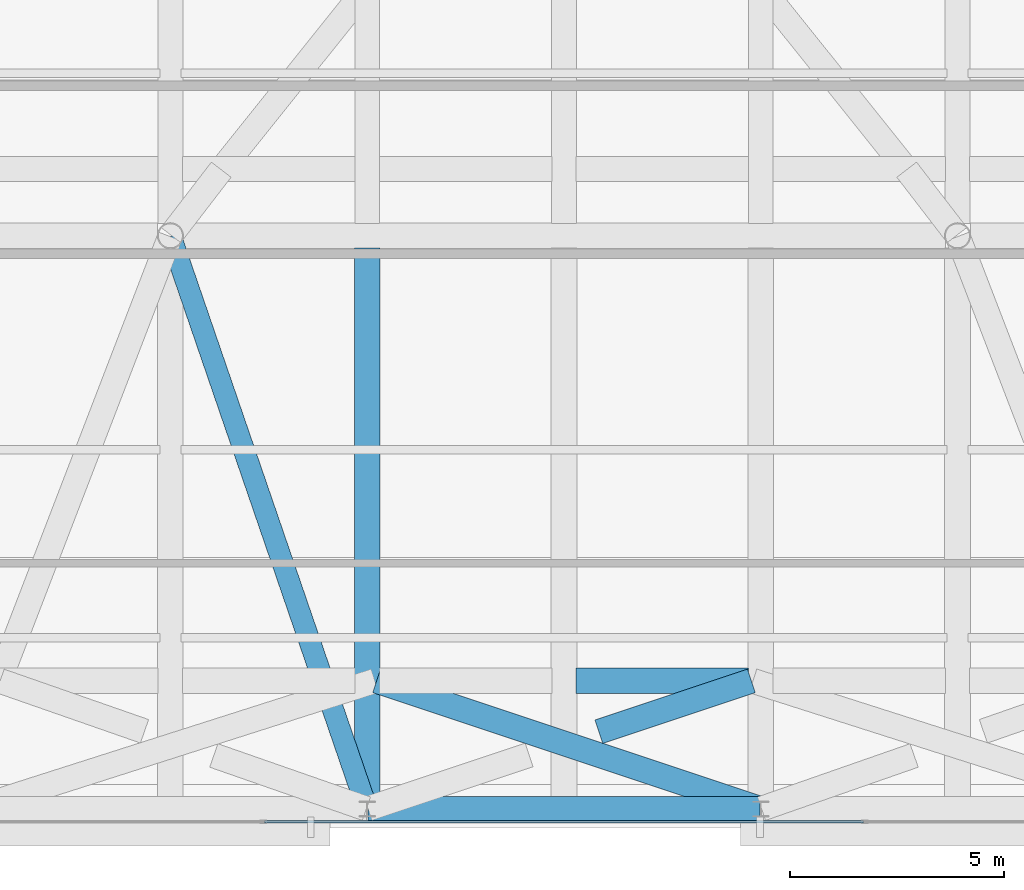
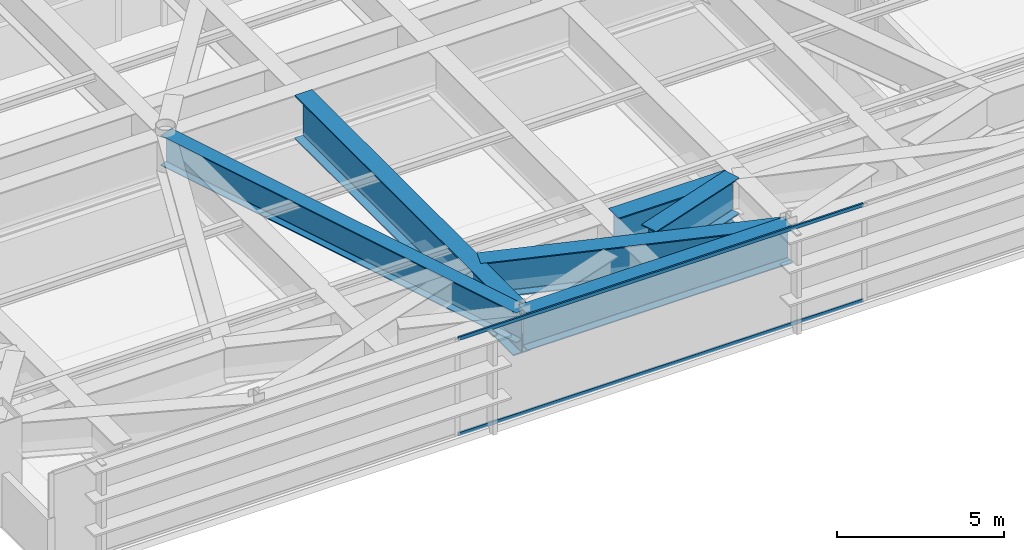
# One storey, part 7 of 23: 6 beams, 2 members, 1 element without a shape of its own.
"""IFC4 building model written with IfcOpenShell, lengths in metres."""

from ifc_helpers import new_model, si_unit, direction, frame, origin, origin_2d, place, context, subcontext, project, spatial, hollow_rectangle, i_section, extrude, source, transform, mapped, material, layer, layer_set, material_profile, profile_set, type_object, type_shapes, element, aggregate, save


model = new_model("IFC4")

# Units and contexts
model_context = context("Model", 3, precision=1e-05, world=origin(), true_north=direction((0.0, 1.0)))
body_context = subcontext(model_context, "Body", "Model", "MODEL_VIEW")
ifc_project = project(units=[si_unit("LENGTHUNIT", "METRE"), si_unit("AREAUNIT", "SQUARE_METRE"), si_unit("VOLUMEUNIT", "CUBIC_METRE"), si_unit("PLANEANGLEUNIT", "RADIAN"), si_unit("MASSUNIT", "GRAM", prefix="KILO")], contexts=[model_context])

# Site, building, storey
site_placement = place(None, origin())
site = spatial("IfcSite", under=ifc_project, at=site_placement, CompositionType="ELEMENT")
building_placement = place(site_placement, origin())
building = spatial("IfcBuilding", under=site, at=building_placement, Name="Varnel Quay Broadcast Tower", CompositionType="ELEMENT")
storey_placement = place(building_placement, frame((0.0, 0.0, 254.60009765625)))
storey = spatial("IfcBuildingStorey", under=building, at=storey_placement, Name="L63", CompositionType="ELEMENT", Elevation=254.60009765625)

# Beams
ifc_material_1 = material(Name="Structural Steel CSA G40.21 350WT", Category="steel")
ifc_material_profile_1 = material_profile(ifc_material_1, i_section(OverallWidth=0.580078125, OverallDepth=1.330078125, WebThickness=0.02197265625, FlangeThickness=0.0380859375, FilletRadius=0.02001953125, at=origin_2d()), Name="WWF1330X535")
ifc_profile_set_1 = profile_set([ifc_material_profile_1], Name="Structural Steel CSA G40.21 350WT")
beam_type_1 = type_object("IfcBeamType", Name="Girder_WWF1330X535", PredefinedType="BEAM", material=ifc_profile_set_1)
shared_shape_1 = source(origin(), body_context, "Body", "SweptSolid", [
    extrude(i_section(OverallWidth=0.580078125, OverallDepth=1.330078125, WebThickness=0.02197265625, FlangeThickness=0.0380859375, FilletRadius=0.02001953125, at=origin_2d()), origin(), (0.0, 0.0, 1.0), 9.16015625),
])
beam_1_placement = place(storey_placement, frame((29.419921875, 10.64990234375, 2.885009765625), z_axis=(1.0, 0.0, 0.0), x_axis=(0.0, 1.0, 0.0)))
element("IfcBeam", 1, at=beam_1_placement, inside=storey, type_object=beam_type_1, Name="L63 Perimeter Transfer Spine TC-S2-TC-S3", PredefinedType="BEAM", context=body_context, shape_type="MappedRepresentation", body=[
    mapped(shared_shape_1, transform((0.0, 0.0, 0.0), x_axis=(1.0, 0.0, 0.0), y_axis=(0.0, 1.0, 0.0), z_axis=(0.0, 0.0, 1.0), scale=1.0)),
])
ifc_material_profile_2 = material_profile(ifc_material_1, i_section(OverallWidth=0.60009765625, OverallDepth=1.60009765625, WebThickness=0.02392578125, FlangeThickness=0.0419921875, FilletRadius=0.02197265625, at=origin_2d()), Name="WWF1600X620")
ifc_profile_set_2 = profile_set([ifc_material_profile_2], Name="Structural Steel CSA G40.21 350WT")
beam_type_2 = type_object("IfcBeamType", Name="Girder_WWF1600X620", PredefinedType="BEAM", material=ifc_profile_set_2)
shared_shape_2 = source(origin(), body_context, "Body", "SweptSolid", [
    extrude(i_section(OverallWidth=0.60009765625, OverallDepth=1.60009765625, WebThickness=0.02392578125, FlangeThickness=0.0419921875, FilletRadius=0.02197265625, at=origin_2d()), origin(), (0.0, 0.0, 1.0), 13.094970703125),
])
beam_2_placement = place(storey_placement, frame((29.39990234375, 10.669921875, 2.75), z_axis=(0.0, 1.0, 0.0), x_axis=(-1.0, 0.0, 0.0)))
element("IfcBeam", 2, at=beam_2_placement, inside=storey, type_object=beam_type_2, Name="L63 N-S Transfer Girder 3A", PredefinedType="BEAM", context=body_context, shape_type="MappedRepresentation", body=[
    mapped(shared_shape_2, transform((0.0, 0.0, 0.0), x_axis=(1.0, 0.0, 0.0), y_axis=(0.0, 1.0, 0.0), z_axis=(0.0, 0.0, 1.0), scale=1.0)),
])
shared_shape_3 = source(origin(), body_context, "Body", "SweptSolid", [
    extrude(i_section(OverallWidth=0.60009765625, OverallDepth=1.60009765625, WebThickness=0.02392578125, FlangeThickness=0.0419921875, FilletRadius=0.02197265625, at=origin_2d()), origin(), (0.0, 0.0, 1.0), 4.030029296875),
])
type_shapes(beam_type_2, [shared_shape_2, shared_shape_3])
beam_3_placement = place(storey_placement, frame((34.284912109375, 13.64990234375, 2.75), z_axis=(1.0, 0.0, 0.0), x_axis=(0.0, 1.0, 0.0)))
element("IfcBeam", 3, at=beam_3_placement, inside=storey, type_object=beam_type_2, Name="L63 Setback South Transfer Header 5", PredefinedType="BEAM", context=body_context, shape_type="MappedRepresentation", body=[
    mapped(shared_shape_3, transform((0.0, 0.0, 0.0), x_axis=(1.0, 0.0, 0.0), y_axis=(0.0, 1.0, 0.0), z_axis=(0.0, 0.0, 1.0), scale=1.0)),
])
shared_shape_4 = source(origin(), body_context, "Body", "SweptSolid", [
    extrude(i_section(OverallWidth=0.580078125, OverallDepth=1.330078125, WebThickness=0.02197265625, FlangeThickness=0.0380859375, FilletRadius=0.02001953125, at=origin_2d()), origin(), (0.0, 0.0, 1.0), 9.447021484375),
])
beam_4_placement = place(storey_placement, frame((38.5810546875, 10.65625, 2.885009765625), z_axis=(-0.948678129283, 0.316243271896, 0.0), x_axis=(-0.316243271896, -0.948678129283, 0.0)))
element("IfcBeam", 4, at=beam_4_placement, inside=storey, type_object=beam_type_1, Name="L63 X-Braced Transfer Tie TC-S2-TC-S3", PredefinedType="BEAM", context=body_context, shape_type="MappedRepresentation", body=[
    mapped(shared_shape_4, transform((0.0, 0.0, 0.0), x_axis=(1.0, 0.0, 0.0), y_axis=(0.0, 1.0, 0.0), z_axis=(0.0, 0.0, 1.0), scale=1.0)),
])
shared_shape_5 = source(origin(), body_context, "Body", "SweptSolid", [
    extrude(i_section(OverallWidth=0.580078125, OverallDepth=1.330078125, WebThickness=0.02197265625, FlangeThickness=0.0380859375, FilletRadius=0.02001953125, at=origin_2d()), origin(), (0.0, 0.0, 1.0), 3.758056640625),
])
type_shapes(beam_type_1, [shared_shape_1, shared_shape_4, shared_shape_5])
beam_5_placement = place(storey_placement, frame((34.81591796875, 12.455322265625, 2.885009765625), z_axis=(0.948676801399, 0.316247255304, 0.0), x_axis=(-0.316247255304, 0.948676801399, 0.0)))
element("IfcBeam", 5, at=beam_5_placement, inside=storey, type_object=beam_type_1, Name="L63 X-Braced Transfer Tie TC-S3-TC-S2 Part 2", PredefinedType="BEAM", context=body_context, shape_type="MappedRepresentation", body=[
    mapped(shared_shape_5, transform((0.0, 0.0, 0.0), x_axis=(1.0, 0.0, 0.0), y_axis=(0.0, 1.0, 0.0), z_axis=(0.0, 0.0, 1.0), scale=1.0)),
])
ifc_material_profile_3 = material_profile(ifc_material_1, i_section(OverallWidth=0.5, OverallDepth=1.10009765625, WebThickness=0.01806640625, FlangeThickness=0.031982421875, FilletRadius=0.01806640625, at=origin_2d()), Name="WWF1100X418")
ifc_profile_set_3 = profile_set([ifc_material_profile_3], Name="Structural Steel CSA G40.21 350WT")
beam_type_3 = type_object("IfcBeamType", Name="Girder_WWF1100X418", PredefinedType="BEAM", material=ifc_profile_set_3)
shared_shape_6 = source(origin(), body_context, "Body", "SweptSolid", [
    extrude(i_section(OverallWidth=0.5, OverallDepth=1.10009765625, WebThickness=0.01806640625, FlangeThickness=0.031982421875, FilletRadius=0.01806640625, at=origin_2d()), origin(), (0.0, 0.0, 1.0), 14.12744140625),
])
type_shapes(beam_type_3, [shared_shape_6])
beam_6_placement = place(storey_placement, frame((29.3935546875, 10.6689453125, 3.0), z_axis=(-0.324696747868, 0.945818175932, 0.0), x_axis=(-0.945818175932, -0.324696747868, 0.0)))
element("IfcBeam", 6, at=beam_6_placement, inside=storey, type_object=beam_type_3, Name="L63 Primary Girder TC-S2-IC-01", PredefinedType="BEAM", context=body_context, shape_type="MappedRepresentation", body=[
    mapped(shared_shape_6, transform((0.0, 0.0, 0.0), x_axis=(1.0, 0.0, 0.0), y_axis=(0.0, 1.0, 0.0), z_axis=(0.0, 0.0, 1.0), scale=1.0)),
])

# Curtain wall, members
ifc_material_2 = material(Name="Anodised Bronze Aluminium 6063-T6", Category="aluminium")
ifc_layer = layer(ifc_material_2, 0.18994140625, Name="Anodised Bronze Aluminium 6063-T6")
ifc_layer_set = layer_set([ifc_layer], Name="Anodised Bronze Aluminium 6063-T6")
curtain_wall_type = type_object("IfcCurtainWallType", Name="CW_UpperTower", PredefinedType="NOTDEFINED", material=ifc_layer_set)
curtain_wall_placement = place(storey_placement, origin())
curtain_wall = element("IfcCurtainWall", 7, at=curtain_wall_placement, inside=storey, type_object=curtain_wall_type, Name="L63 South Unitised Curtain Wall 1", PredefinedType="NOTDEFINED")
ifc_material_profile_4 = material_profile(ifc_material_2, hollow_rectangle(XDim=0.06005859375, YDim=0.125, WallThickness=0.0029296875, at=origin_2d()), Name="ALU60X125X3")
ifc_profile_set_4 = profile_set([ifc_material_profile_4], Name="Anodised Bronze Aluminium 6063-T6")
member_type = type_object("IfcMemberType", Name="Tran_CWS-03", PredefinedType="USERDEFINED", material=ifc_profile_set_4)
shared_shape_7 = source(origin(), body_context, "Body", "SweptSolid", [
    extrude(hollow_rectangle(XDim=0.06005859375, YDim=0.125, WallThickness=0.0029296875, at=origin_2d()), origin(), (0.0, 0.0, 1.0), 14.00146484375),
])
type_shapes(member_type, [shared_shape_7])
member_1_placement = place(storey_placement, frame((26.999267578125, 10.35009765625, 0.02978515625), z_axis=(1.0, 0.0, 0.0), x_axis=(0.0, 1.0, 0.0)))
member_1 = element("IfcMember", 8, at=member_1_placement, type_object=member_type, Name="CWS-03 transom 2.1", ObjectType="TRANSOM", PredefinedType="USERDEFINED", context=body_context, shape_type="MappedRepresentation", body=[
    mapped(shared_shape_7, transform((0.0, 0.0, 0.0), x_axis=(1.0, 0.0, 0.0), y_axis=(0.0, 1.0, 0.0), z_axis=(0.0, 0.0, 1.0), scale=1.0)),
])
member_2_placement = place(storey_placement, frame((26.999267578125, 10.35009765625, 3.52001953125), z_axis=(1.0, 0.0, 0.0), x_axis=(0.0, 1.0, 0.0)))
member_2 = element("IfcMember", 9, at=member_2_placement, type_object=member_type, Name="CWS-03 transom 2.2", ObjectType="TRANSOM", PredefinedType="USERDEFINED", context=body_context, shape_type="MappedRepresentation", body=[
    mapped(shared_shape_7, transform((0.0, 0.0, 0.0), x_axis=(1.0, 0.0, 0.0), y_axis=(0.0, 1.0, 0.0), z_axis=(0.0, 0.0, 1.0), scale=1.0)),
])
aggregate(curtain_wall, [member_1, member_2])

save(model, "model.ifc")
